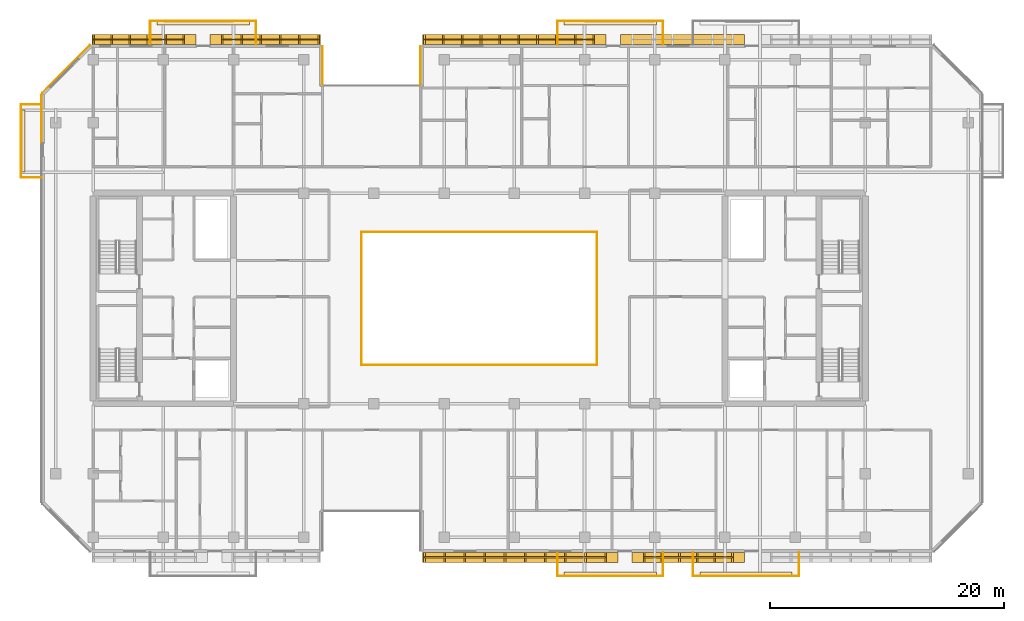
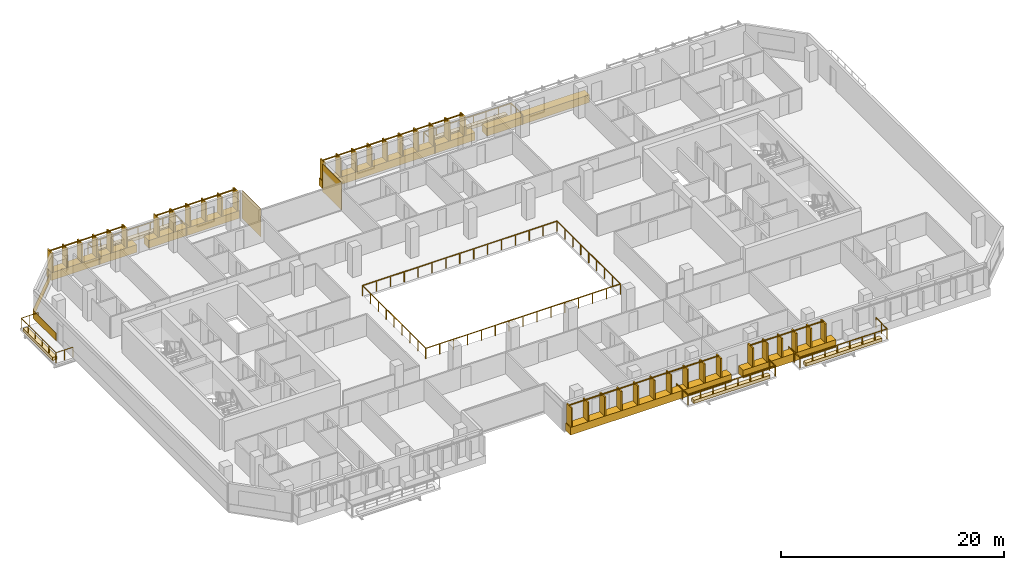
# One storey, part 18 of 21: 15 coverings, 12 railings.
"""IFC4 building model written with IfcOpenShell, lengths in metres."""

from ifc_helpers import new_model, si_unit, direction, frame, origin, origin_2d, place, context, subcontext, project, spatial, polyline, rectangle, outline, extrude, material, layer, layer_set, type_object, element, save


model = new_model("IFC4")

# Units and contexts
model_context = context("Model", 3, precision=1e-05, world=origin(), true_north=direction((0.0, 1.0)))
body_context = subcontext(model_context, "Body", "Model", "MODEL_VIEW")
ifc_project = project(units=[si_unit("LENGTHUNIT", "METRE"), si_unit("AREAUNIT", "SQUARE_METRE"), si_unit("VOLUMEUNIT", "CUBIC_METRE"), si_unit("PLANEANGLEUNIT", "RADIAN"), si_unit("MASSUNIT", "GRAM", prefix="KILO")], contexts=[model_context])

# Site, building, storey
site_placement = place(None, origin())
site = spatial("IfcSite", under=ifc_project, at=site_placement, CompositionType="ELEMENT")
building_placement = place(site_placement, origin())
building = spatial("IfcBuilding", under=site, at=building_placement, Name="Tanjung Sevakor Pilgrim Tower", CompositionType="ELEMENT")
storey_placement = place(building_placement, frame((0.0, 0.0, 145.199951171875)))
storey = spatial("IfcBuildingStorey", under=building, at=storey_placement, Name="L40", CompositionType="ELEMENT", Elevation=145.199951171875)

# Coverings
ifc_material_1 = material(Name="Reconstructed Limestone Cladding", Category="masonry")
ifc_layer_1 = layer(ifc_material_1, 0.044921875)
ifc_layer_set_1 = layer_set([ifc_layer_1], Name="COV-CLAD-LIMESTONE")
covering_type_1 = type_object("IfcCoveringType", Name="COV-CLAD-LIMESTONE", PredefinedType="CLADDING", material=ifc_layer_set_1)
covering_1_placement = place(storey_placement, frame((60.50244140625, 11.469970703125, 0.009765625), z_axis=(0.0, 0.0, 1.0), x_axis=(1.0, 0.0, 0.0)))
element("IfcCovering", 1, at=covering_1_placement, inside=storey, type_object=covering_type_1, Name="L40 Warm Limestone Sill Spandrel EW-L40-MAIN-5-1", PredefinedType="CLADDING", context=body_context, shape_type="SweptSolid", body=[
    extrude(rectangle(XDim=16.675048828125, YDim=0.860107421875, at=origin_2d()), origin(), (0.0, 0.0, 1.0), 0.840087890625),
])
covering_2_placement = place(storey_placement, frame((74.875, 11.469970703125, 0.009765625), z_axis=(0.0, 0.0, 1.0), x_axis=(1.0, 0.0, 0.0)))
element("IfcCovering", 2, at=covering_2_placement, inside=storey, type_object=covering_type_1, Name="L40 Warm Limestone Sill Spandrel EW-L40-MAIN-5-2", PredefinedType="CLADDING", context=body_context, shape_type="SweptSolid", body=[
    extrude(rectangle(XDim=9.6298828125, YDim=0.860107421875, at=origin_2d()), origin(), (0.0, 0.0, 1.0), 0.840087890625),
])
covering_3_placement = place(storey_placement, frame((74.375, 55.72998046875, 0.009765625), z_axis=(0.0, 0.0, 1.0), x_axis=(-1.0, 0.0, 0.0)))
element("IfcCovering", 3, at=covering_3_placement, inside=storey, type_object=covering_type_1, Name="L40 Warm Limestone Sill Spandrel EW-L40-MAIN-9-2", PredefinedType="CLADDING", context=body_context, shape_type="SweptSolid", body=[
    extrude(rectangle(XDim=10.6298828125, YDim=0.860107421875, at=origin_2d()), origin(), (0.0, 0.0, 1.0), 0.840087890625),
])
covering_4_placement = place(storey_placement, frame((60.00244140625, 55.72998046875, 0.009765625), z_axis=(0.0, 0.0, 1.0), x_axis=(-1.0, 0.0, 0.0)))
element("IfcCovering", 4, at=covering_4_placement, inside=storey, type_object=covering_type_1, Name="L40 Warm Limestone Sill Spandrel EW-L40-MAIN-9-3", PredefinedType="CLADDING", context=body_context, shape_type="SweptSolid", body=[
    extrude(rectangle(XDim=15.675048828125, YDim=0.860107421875, at=origin_2d()), origin(), (0.0, 0.0, 1.0), 0.840087890625),
])
for number, where, z_axis, x_axis, name in (
    (5, (51.9775390625, 53.47509765625, 0.02001953125), (0.0, 0.0, 1.0), (0.0, -1.0, 0.0), "L40 Warm Limestone Wall Cladding EW-L40-MAIN-10"),
    (6, (43.62255859375, 53.47509765625, 0.02001953125), (0.0, 0.0, 1.0), (0.0, 1.0, 0.0), "L40 Warm Limestone Wall Cladding EW-L40-MAIN-12"),
):
    element("IfcCovering", number, at=place(storey_placement, frame(where, z_axis=z_axis, x_axis=x_axis)), inside=storey, type_object=covering_type_1, Name=name, PredefinedType="CLADDING", context=body_context, shape_type="SweptSolid", body=[
        extrude(rectangle(XDim=3.360107421875, YDim=0.044921875, at=origin_2d()), origin(), (0.0, 0.0, 1.0), 3.0400390625),
    ])
covering_5_placement = place(storey_placement, frame((38.722412109375, 55.72998046875, 0.009765625), z_axis=(0.0, 0.0, 1.0), x_axis=(-1.0, 0.0, 0.0)))
element("IfcCovering", 7, at=covering_5_placement, inside=storey, type_object=covering_type_1, Name="L40 Warm Limestone Sill Spandrel EW-L40-MAIN-13-1", PredefinedType="CLADDING", context=body_context, shape_type="SweptSolid", body=[
    extrude(rectangle(XDim=9.425048828125, YDim=0.860107421875, at=origin_2d()), origin(), (0.0, 0.0, 1.0), 0.840087890625),
])
covering_6_placement = place(storey_placement, frame((28.3408203125, 55.72998046875, 0.009765625), z_axis=(0.0, 0.0, 1.0), x_axis=(-1.0, 0.0, 0.0)))
element("IfcCovering", 8, at=covering_6_placement, inside=storey, type_object=covering_type_1, Name="L40 Warm Limestone Sill Spandrel EW-L40-MAIN-13-2", PredefinedType="CLADDING", context=body_context, shape_type="SweptSolid", body=[
    extrude(rectangle(XDim=8.898193359375, YDim=0.860107421875, at=origin_2d()), origin(), (0.0, 0.0, 1.0), 0.840087890625),
])
covering_7_placement = place(storey_placement, frame((21.68408203125, 53.2158203125, 0.009765625), z_axis=(0.0, 0.0, 1.0), x_axis=(-0.707106781187, -0.707106781187, 0.0)))
element("IfcCovering", 9, at=covering_7_placement, inside=storey, type_object=covering_type_1, Name="L40 Warm Limestone Sill Spandrel EW-CHM-L40-MAIN-13-1", PredefinedType="CLADDING", context=body_context, shape_type="SweptSolid", body=[
    extrude(rectangle(XDim=5.756103515625, YDim=0.044921875, at=origin_2d()), origin(), (0.0, 0.0, 1.0), 0.840087890625),
])
covering_8_placement = place(storey_placement, frame((19.577392578125, 48.958984375, 0.009765625), z_axis=(0.0, 0.0, 1.0), x_axis=(0.0, -1.0, 0.0)))
element("IfcCovering", 10, at=covering_8_placement, inside=storey, type_object=covering_type_1, Name="L40 Warm Limestone Sill Spandrel EW-L40-MAIN-15-1", PredefinedType="CLADDING", context=body_context, shape_type="SweptSolid", body=[
    extrude(rectangle(XDim=4.09814453125, YDim=0.044921875, at=origin_2d()), origin(), (0.0, 0.0, 1.0), 0.840087890625),
])
ifc_material_2 = material(Name="Vegetated Modular Planter Assembly", Category="organic")
ifc_layer_2 = layer(ifc_material_2, 0.35009765625)
ifc_layer_set_2 = layer_set([ifc_layer_2], Name="COV-GRN-TROUGH")
covering_type_2 = type_object("IfcCoveringType", Name="COV-GRN-TROUGH", PredefinedType="CLADDING", material=ifc_layer_set_2)
covering_9_placement = place(storey_placement, origin())
element("IfcCovering", 11, at=covering_9_placement, inside=storey, type_object=covering_type_2, Name="L40 Planted Landscape Hedge Trough BGRN-L40-MAIN-N1", PredefinedType="CLADDING", context=body_context, shape_type="SweptSolid", body=[
    extrude(outline(polyline([(29.449951171875, 56.9599609375), (37.35009765625, 56.9599609375), (37.35009765625, 57.39990234375), (29.449951171875, 57.39990234375), (29.449951171875, 56.9599609375)])), origin(), (0.0, 0.0, 1.0), 0.35009765625),
])
covering_10_placement = place(storey_placement, origin())
element("IfcCovering", 12, at=covering_10_placement, inside=storey, type_object=covering_type_2, Name="L40 Planted Landscape Hedge Trough BGRN-L40-MAIN-S2", PredefinedType="CLADDING", context=body_context, shape_type="SweptSolid", body=[
    extrude(outline(polyline([(64.25, 9.800048828125), (72.14990234375, 9.800048828125), (72.14990234375, 10.239990234375), (64.25, 10.239990234375), (64.25, 9.800048828125)])), origin(), (0.0, 0.0, 1.0), 0.35009765625),
])
covering_11_placement = place(storey_placement, origin())
element("IfcCovering", 13, at=covering_11_placement, inside=storey, type_object=covering_type_2, Name="L40 Planted Landscape Hedge Trough BGRN-L40-MAIN-N2", PredefinedType="CLADDING", context=body_context, shape_type="SweptSolid", body=[
    extrude(outline(polyline([(64.25, 56.9599609375), (72.14990234375, 56.9599609375), (72.14990234375, 57.39990234375), (64.25, 57.39990234375), (64.25, 56.9599609375)])), origin(), (0.0, 0.0, 1.0), 0.35009765625),
])
covering_12_placement = place(storey_placement, origin())
element("IfcCovering", 14, at=covering_12_placement, inside=storey, type_object=covering_type_2, Name="L40 Planted Landscape Hedge Trough BGRN-L40-MAIN-S3", PredefinedType="CLADDING", context=body_context, shape_type="SweptSolid", body=[
    extrude(outline(polyline([(75.85009765625, 9.800048828125), (83.75, 9.800048828125), (83.75, 10.239990234375), (75.85009765625, 10.239990234375), (75.85009765625, 9.800048828125)])), origin(), (0.0, 0.0, 1.0), 0.35009765625),
])
covering_13_placement = place(storey_placement, origin())
element("IfcCovering", 15, at=covering_13_placement, inside=storey, type_object=covering_type_2, Name="L40 Planted Landscape Hedge Trough BGRN-L40-MAIN-W1", PredefinedType="CLADDING", context=body_context, shape_type="SweptSolid", body=[
    extrude(outline(polyline([(18.18994140625, 44.39990234375), (18.18994140625, 49.699951171875), (17.75, 49.699951171875), (17.75, 44.39990234375), (18.18994140625, 44.39990234375)])), origin(), (0.0, 0.0, 1.0), 0.35009765625),
])

# Railings
ifc_material_3 = material(Name="Laminated Glass and Aluminium", Category="aluminium")
railing_type_1 = type_object("IfcRailingType", Name="RL-BAL-BALUST", PredefinedType="BALUSTRADE", material=ifc_material_3)
railing_1_placement = place(storey_placement, frame((46.919921875, 27.919921875, 0.0)))
element("IfcRailing", 16, at=railing_1_placement, inside=storey, type_object=railing_type_1, Name="L40 Void Opening Balustrade 1A", PredefinedType="BALUSTRADE", context=body_context, shape_type="SweptSolid", body=[
    extrude(rectangle(XDim=0.0479, YDim=0.0479), frame((0.0, 0.0, 1.1259765625), z_axis=(1.0, 0.0, 0.0), x_axis=(0.0, 1.0, 0.0)), (0.0, 0.0, 1.0), 20.16015625),
    extrude(rectangle(XDim=0.0479, YDim=0.0479), frame((20.16015625, 0.0, 1.1259765625), z_axis=(0.0, 1.0, 0.0), x_axis=(-1.0, 0.0, 0.0)), (0.0, 0.0, 1.0), 11.360107421875),
    extrude(rectangle(XDim=0.042, YDim=0.042), origin(), (0.0, 0.0, 1.0), 1.101806640625),
    extrude(rectangle(XDim=0.042, YDim=0.042), frame((1.43994140625, 0.0, 0.0)), (0.0, 0.0, 1.0), 1.101806640625),
    extrude(rectangle(XDim=0.042, YDim=0.042), frame((2.880126953125, 0.0, 0.0)), (0.0, 0.0, 1.0), 1.101806640625),
    extrude(rectangle(XDim=0.042, YDim=0.042), frame((4.320068359375, 0.0, 0.0)), (0.0, 0.0, 1.0), 1.101806640625),
    extrude(rectangle(XDim=0.042, YDim=0.042), frame((5.760009765625, 0.0, 0.0)), (0.0, 0.0, 1.0), 1.101806640625),
    extrude(rectangle(XDim=0.042, YDim=0.042), frame((7.199951171875, 0.0, 0.0)), (0.0, 0.0, 1.0), 1.101806640625),
    extrude(rectangle(XDim=0.042, YDim=0.042), frame((8.64013671875, 0.0, 0.0)), (0.0, 0.0, 1.0), 1.101806640625),
    extrude(rectangle(XDim=0.042, YDim=0.042), frame((10.080078125, 0.0, 0.0)), (0.0, 0.0, 1.0), 1.101806640625),
    extrude(rectangle(XDim=0.042, YDim=0.042), frame((11.52001953125, 0.0, 0.0)), (0.0, 0.0, 1.0), 1.101806640625),
    extrude(rectangle(XDim=0.042, YDim=0.042), frame((12.960205078125, 0.0, 0.0)), (0.0, 0.0, 1.0), 1.101806640625),
    extrude(rectangle(XDim=0.042, YDim=0.042), frame((14.400146484375, 0.0, 0.0)), (0.0, 0.0, 1.0), 1.101806640625),
    extrude(rectangle(XDim=0.042, YDim=0.042), frame((15.840087890625, 0.0, 0.0)), (0.0, 0.0, 1.0), 1.101806640625),
    extrude(rectangle(XDim=0.042, YDim=0.042), frame((17.280029296875, 0.0, 0.0)), (0.0, 0.0, 1.0), 1.101806640625),
    extrude(rectangle(XDim=0.042, YDim=0.042), frame((18.72021484375, 0.0, 0.0)), (0.0, 0.0, 1.0), 1.101806640625),
    extrude(rectangle(XDim=0.042, YDim=0.042), frame((20.16015625, 0.0, 0.0)), (0.0, 0.0, 1.0), 1.101806640625),
    extrude(rectangle(XDim=0.042, YDim=0.042), frame((20.16015625, 1.419921875, 0.0)), (0.0, 0.0, 1.0), 1.101806640625),
    extrude(rectangle(XDim=0.042, YDim=0.042), frame((20.16015625, 2.840087890625, 0.0)), (0.0, 0.0, 1.0), 1.101806640625),
    extrude(rectangle(XDim=0.042, YDim=0.042), frame((20.16015625, 4.260009765625, 0.0)), (0.0, 0.0, 1.0), 1.101806640625),
    extrude(rectangle(XDim=0.042, YDim=0.042), frame((20.16015625, 5.68017578125, 0.0)), (0.0, 0.0, 1.0), 1.101806640625),
    extrude(rectangle(XDim=0.042, YDim=0.042), frame((20.16015625, 7.10009765625, 0.0)), (0.0, 0.0, 1.0), 1.101806640625),
    extrude(rectangle(XDim=0.042, YDim=0.042), frame((20.16015625, 8.52001953125, 0.0)), (0.0, 0.0, 1.0), 1.101806640625),
    extrude(rectangle(XDim=0.042, YDim=0.042), frame((20.16015625, 9.940185546875, 0.0)), (0.0, 0.0, 1.0), 1.101806640625),
    extrude(rectangle(XDim=0.042, YDim=0.042), frame((20.16015625, 11.360107421875, 0.0)), (0.0, 0.0, 1.0), 1.101806640625),
])
railing_2_placement = place(storey_placement, frame((67.080078125, 39.280029296875, 0.0)))
element("IfcRailing", 17, at=railing_2_placement, inside=storey, type_object=railing_type_1, Name="L40 Void Opening Balustrade 1B", PredefinedType="BALUSTRADE", context=body_context, shape_type="SweptSolid", body=[
    extrude(rectangle(XDim=0.0479, YDim=0.0479), frame((0.0, 0.0, 1.1259765625), z_axis=(-1.0, 0.0, 0.0), x_axis=(0.0, -1.0, 0.0)), (0.0, 0.0, 1.0), 20.16015625),
    extrude(rectangle(XDim=0.0479, YDim=0.0479), frame((-20.16015625, 0.0, 1.1259765625), z_axis=(0.0, -1.0, 0.0), x_axis=(1.0, 0.0, 0.0)), (0.0, 0.0, 1.0), 11.360107421875),
    extrude(rectangle(XDim=0.042, YDim=0.042), origin(), (0.0, 0.0, 1.0), 1.101806640625),
    extrude(rectangle(XDim=0.042, YDim=0.042), frame((-1.43994140625, 0.0, 0.0)), (0.0, 0.0, 1.0), 1.101806640625),
    extrude(rectangle(XDim=0.042, YDim=0.042), frame((-2.880126953125, 0.0, 0.0)), (0.0, 0.0, 1.0), 1.101806640625),
    extrude(rectangle(XDim=0.042, YDim=0.042), frame((-4.320068359375, 0.0, 0.0)), (0.0, 0.0, 1.0), 1.101806640625),
    extrude(rectangle(XDim=0.042, YDim=0.042), frame((-5.760009765625, 0.0, 0.0)), (0.0, 0.0, 1.0), 1.101806640625),
    extrude(rectangle(XDim=0.042, YDim=0.042), frame((-7.199951171875, 0.0, 0.0)), (0.0, 0.0, 1.0), 1.101806640625),
    extrude(rectangle(XDim=0.042, YDim=0.042), frame((-8.64013671875, 0.0, 0.0)), (0.0, 0.0, 1.0), 1.101806640625),
    extrude(rectangle(XDim=0.042, YDim=0.042), frame((-10.080078125, 0.0, 0.0)), (0.0, 0.0, 1.0), 1.101806640625),
    extrude(rectangle(XDim=0.042, YDim=0.042), frame((-11.52001953125, 0.0, 0.0)), (0.0, 0.0, 1.0), 1.101806640625),
    extrude(rectangle(XDim=0.042, YDim=0.042), frame((-12.960205078125, 0.0, 0.0)), (0.0, 0.0, 1.0), 1.101806640625),
    extrude(rectangle(XDim=0.042, YDim=0.042), frame((-14.400146484375, 0.0, 0.0)), (0.0, 0.0, 1.0), 1.101806640625),
    extrude(rectangle(XDim=0.042, YDim=0.042), frame((-15.840087890625, 0.0, 0.0)), (0.0, 0.0, 1.0), 1.101806640625),
    extrude(rectangle(XDim=0.042, YDim=0.042), frame((-17.280029296875, 0.0, 0.0)), (0.0, 0.0, 1.0), 1.101806640625),
    extrude(rectangle(XDim=0.042, YDim=0.042), frame((-18.72021484375, 0.0, 0.0)), (0.0, 0.0, 1.0), 1.101806640625),
    extrude(rectangle(XDim=0.042, YDim=0.042), frame((-20.16015625, 0.0, 0.0)), (0.0, 0.0, 1.0), 1.101806640625),
    extrude(rectangle(XDim=0.042, YDim=0.042), frame((-20.16015625, -1.419921875, 0.0)), (0.0, 0.0, 1.0), 1.101806640625),
    extrude(rectangle(XDim=0.042, YDim=0.042), frame((-20.16015625, -2.840087890625, 0.0)), (0.0, 0.0, 1.0), 1.101806640625),
    extrude(rectangle(XDim=0.042, YDim=0.042), frame((-20.16015625, -4.260009765625, 0.0)), (0.0, 0.0, 1.0), 1.101806640625),
    extrude(rectangle(XDim=0.042, YDim=0.042), frame((-20.16015625, -5.68017578125, 0.0)), (0.0, 0.0, 1.0), 1.101806640625),
    extrude(rectangle(XDim=0.042, YDim=0.042), frame((-20.16015625, -7.10009765625, 0.0)), (0.0, 0.0, 1.0), 1.101806640625),
    extrude(rectangle(XDim=0.042, YDim=0.042), frame((-20.16015625, -8.52001953125, 0.0)), (0.0, 0.0, 1.0), 1.101806640625),
    extrude(rectangle(XDim=0.042, YDim=0.042), frame((-20.16015625, -9.940185546875, 0.0)), (0.0, 0.0, 1.0), 1.101806640625),
    extrude(rectangle(XDim=0.042, YDim=0.042), frame((-20.16015625, -11.360107421875, 0.0)), (0.0, 0.0, 1.0), 1.101806640625),
])
railing_3_placement = place(storey_placement, frame((28.8798828125, 55.300048828125, 0.0)))
element("IfcRailing", 18, at=railing_3_placement, inside=storey, type_object=railing_type_1, Name="L40 Loggia Balustrade MAIN-N1", PredefinedType="BALUSTRADE", context=body_context, shape_type="SweptSolid", body=[
    extrude(rectangle(XDim=0.0479, YDim=0.0479), frame((0.0, 0.0, 1.1259765625), z_axis=(0.0, 1.0, 0.0), x_axis=(-1.0, 0.0, 0.0)), (0.0, 0.0, 1.0), 2.02001953125),
    extrude(rectangle(XDim=0.0479, YDim=0.0479), frame((0.0, 2.02001953125, 1.1259765625), z_axis=(1.0, 0.0, 0.0), x_axis=(0.0, 1.0, 0.0)), (0.0, 0.0, 1.0), 9.0400390625),
    extrude(rectangle(XDim=0.0479, YDim=0.0479), frame((9.0400390625, 2.02001953125, 1.1259765625), z_axis=(0.0, -1.0, 0.0), x_axis=(1.0, 0.0, 0.0)), (0.0, 0.0, 1.0), 2.02001953125),
    extrude(rectangle(XDim=0.042, YDim=0.042), origin(), (0.0, 0.0, 1.0), 1.101806640625),
    extrude(rectangle(XDim=0.042, YDim=0.042), frame((0.0, 1.010009765625, 0.0)), (0.0, 0.0, 1.0), 1.101806640625),
    extrude(rectangle(XDim=0.042, YDim=0.042), frame((0.0, 2.02001953125, 0.0)), (0.0, 0.0, 1.0), 1.101806640625),
    extrude(rectangle(XDim=0.042, YDim=0.042), frame((1.29150390625, 2.02001953125, 0.0)), (0.0, 0.0, 1.0), 1.101806640625),
    extrude(rectangle(XDim=0.042, YDim=0.042), frame((2.582763671875, 2.02001953125, 0.0)), (0.0, 0.0, 1.0), 1.101806640625),
    extrude(rectangle(XDim=0.042, YDim=0.042), frame((3.874267578125, 2.02001953125, 0.0)), (0.0, 0.0, 1.0), 1.101806640625),
    extrude(rectangle(XDim=0.042, YDim=0.042), frame((5.165771484375, 2.02001953125, 0.0)), (0.0, 0.0, 1.0), 1.101806640625),
    extrude(rectangle(XDim=0.042, YDim=0.042), frame((6.457275390625, 2.02001953125, 0.0)), (0.0, 0.0, 1.0), 1.101806640625),
    extrude(rectangle(XDim=0.042, YDim=0.042), frame((7.74853515625, 2.02001953125, 0.0)), (0.0, 0.0, 1.0), 1.101806640625),
    extrude(rectangle(XDim=0.042, YDim=0.042), frame((9.0400390625, 2.02001953125, 0.0)), (0.0, 0.0, 1.0), 1.101806640625),
    extrude(rectangle(XDim=0.042, YDim=0.042), frame((9.0400390625, 1.010009765625, 0.0)), (0.0, 0.0, 1.0), 1.101806640625),
    extrude(rectangle(XDim=0.042, YDim=0.042), frame((9.0400390625, 0.0, 0.0)), (0.0, 0.0, 1.0), 1.101806640625),
])
railing_4_placement = place(storey_placement, frame((63.679931640625, 11.89990234375, 0.0)))
element("IfcRailing", 19, at=railing_4_placement, inside=storey, type_object=railing_type_1, Name="L40 Loggia Balustrade MAIN-S2", PredefinedType="BALUSTRADE", context=body_context, shape_type="SweptSolid", body=[
    extrude(rectangle(XDim=0.0479, YDim=0.0479), frame((0.0, 0.0, 1.1259765625), z_axis=(0.0, -1.0, 0.0), x_axis=(1.0, 0.0, 0.0)), (0.0, 0.0, 1.0), 2.02001953125),
    extrude(rectangle(XDim=0.0479, YDim=0.0479), frame((0.0, -2.02001953125, 1.1259765625), z_axis=(1.0, 0.0, 0.0), x_axis=(0.0, 1.0, 0.0)), (0.0, 0.0, 1.0), 9.0400390625),
    extrude(rectangle(XDim=0.0479, YDim=0.0479), frame((9.0400390625, -2.02001953125, 1.1259765625), z_axis=(0.0, 1.0, 0.0), x_axis=(-1.0, 0.0, 0.0)), (0.0, 0.0, 1.0), 2.02001953125),
    extrude(rectangle(XDim=0.042, YDim=0.042), origin(), (0.0, 0.0, 1.0), 1.101806640625),
    extrude(rectangle(XDim=0.042, YDim=0.042), frame((0.0, -1.010009765625, 0.0)), (0.0, 0.0, 1.0), 1.101806640625),
    extrude(rectangle(XDim=0.042, YDim=0.042), frame((0.0, -2.02001953125, 0.0)), (0.0, 0.0, 1.0), 1.101806640625),
    extrude(rectangle(XDim=0.042, YDim=0.042), frame((1.29150390625, -2.02001953125, 0.0)), (0.0, 0.0, 1.0), 1.101806640625),
    extrude(rectangle(XDim=0.042, YDim=0.042), frame((2.582763671875, -2.02001953125, 0.0)), (0.0, 0.0, 1.0), 1.101806640625),
    extrude(rectangle(XDim=0.042, YDim=0.042), frame((3.874267578125, -2.02001953125, 0.0)), (0.0, 0.0, 1.0), 1.101806640625),
    extrude(rectangle(XDim=0.042, YDim=0.042), frame((5.165771484375, -2.02001953125, 0.0)), (0.0, 0.0, 1.0), 1.101806640625),
    extrude(rectangle(XDim=0.042, YDim=0.042), frame((6.457275390625, -2.02001953125, 0.0)), (0.0, 0.0, 1.0), 1.101806640625),
    extrude(rectangle(XDim=0.042, YDim=0.042), frame((7.74853515625, -2.02001953125, 0.0)), (0.0, 0.0, 1.0), 1.101806640625),
    extrude(rectangle(XDim=0.042, YDim=0.042), frame((9.0400390625, -2.02001953125, 0.0)), (0.0, 0.0, 1.0), 1.101806640625),
    extrude(rectangle(XDim=0.042, YDim=0.042), frame((9.0400390625, -1.010009765625, 0.0)), (0.0, 0.0, 1.0), 1.101806640625),
    extrude(rectangle(XDim=0.042, YDim=0.042), frame((9.0400390625, 0.0, 0.0)), (0.0, 0.0, 1.0), 1.101806640625),
])
railing_5_placement = place(storey_placement, frame((63.679931640625, 55.300048828125, 0.0)))
element("IfcRailing", 20, at=railing_5_placement, inside=storey, type_object=railing_type_1, Name="L40 Loggia Balustrade MAIN-N2", PredefinedType="BALUSTRADE", context=body_context, shape_type="SweptSolid", body=[
    extrude(rectangle(XDim=0.0479, YDim=0.0479), frame((0.0, 0.0, 1.1259765625), z_axis=(0.0, 1.0, 0.0), x_axis=(-1.0, 0.0, 0.0)), (0.0, 0.0, 1.0), 2.02001953125),
    extrude(rectangle(XDim=0.0479, YDim=0.0479), frame((0.0, 2.02001953125, 1.1259765625), z_axis=(1.0, 0.0, 0.0), x_axis=(0.0, 1.0, 0.0)), (0.0, 0.0, 1.0), 9.0400390625),
    extrude(rectangle(XDim=0.0479, YDim=0.0479), frame((9.0400390625, 2.02001953125, 1.1259765625), z_axis=(0.0, -1.0, 0.0), x_axis=(1.0, 0.0, 0.0)), (0.0, 0.0, 1.0), 2.02001953125),
    extrude(rectangle(XDim=0.042, YDim=0.042), origin(), (0.0, 0.0, 1.0), 1.101806640625),
    extrude(rectangle(XDim=0.042, YDim=0.042), frame((0.0, 1.010009765625, 0.0)), (0.0, 0.0, 1.0), 1.101806640625),
    extrude(rectangle(XDim=0.042, YDim=0.042), frame((0.0, 2.02001953125, 0.0)), (0.0, 0.0, 1.0), 1.101806640625),
    extrude(rectangle(XDim=0.042, YDim=0.042), frame((1.29150390625, 2.02001953125, 0.0)), (0.0, 0.0, 1.0), 1.101806640625),
    extrude(rectangle(XDim=0.042, YDim=0.042), frame((2.582763671875, 2.02001953125, 0.0)), (0.0, 0.0, 1.0), 1.101806640625),
    extrude(rectangle(XDim=0.042, YDim=0.042), frame((3.874267578125, 2.02001953125, 0.0)), (0.0, 0.0, 1.0), 1.101806640625),
    extrude(rectangle(XDim=0.042, YDim=0.042), frame((5.165771484375, 2.02001953125, 0.0)), (0.0, 0.0, 1.0), 1.101806640625),
    extrude(rectangle(XDim=0.042, YDim=0.042), frame((6.457275390625, 2.02001953125, 0.0)), (0.0, 0.0, 1.0), 1.101806640625),
    extrude(rectangle(XDim=0.042, YDim=0.042), frame((7.74853515625, 2.02001953125, 0.0)), (0.0, 0.0, 1.0), 1.101806640625),
    extrude(rectangle(XDim=0.042, YDim=0.042), frame((9.0400390625, 2.02001953125, 0.0)), (0.0, 0.0, 1.0), 1.101806640625),
    extrude(rectangle(XDim=0.042, YDim=0.042), frame((9.0400390625, 1.010009765625, 0.0)), (0.0, 0.0, 1.0), 1.101806640625),
    extrude(rectangle(XDim=0.042, YDim=0.042), frame((9.0400390625, 0.0, 0.0)), (0.0, 0.0, 1.0), 1.101806640625),
])
railing_6_placement = place(storey_placement, frame((75.280029296875, 11.89990234375, 0.0)))
element("IfcRailing", 21, at=railing_6_placement, inside=storey, type_object=railing_type_1, Name="L40 Loggia Balustrade MAIN-S3", PredefinedType="BALUSTRADE", context=body_context, shape_type="SweptSolid", body=[
    extrude(rectangle(XDim=0.0479, YDim=0.0479), frame((0.0, 0.0, 1.1259765625), z_axis=(0.0, -1.0, 0.0), x_axis=(1.0, 0.0, 0.0)), (0.0, 0.0, 1.0), 2.02001953125),
    extrude(rectangle(XDim=0.0479, YDim=0.0479), frame((0.0, -2.02001953125, 1.1259765625), z_axis=(1.0, 0.0, 0.0), x_axis=(0.0, 1.0, 0.0)), (0.0, 0.0, 1.0), 9.0400390625),
    extrude(rectangle(XDim=0.0479, YDim=0.0479), frame((9.0400390625, -2.02001953125, 1.1259765625), z_axis=(0.0, 1.0, 0.0), x_axis=(-1.0, 0.0, 0.0)), (0.0, 0.0, 1.0), 2.02001953125),
    extrude(rectangle(XDim=0.042, YDim=0.042), origin(), (0.0, 0.0, 1.0), 1.101806640625),
    extrude(rectangle(XDim=0.042, YDim=0.042), frame((0.0, -1.010009765625, 0.0)), (0.0, 0.0, 1.0), 1.101806640625),
    extrude(rectangle(XDim=0.042, YDim=0.042), frame((0.0, -2.02001953125, 0.0)), (0.0, 0.0, 1.0), 1.101806640625),
    extrude(rectangle(XDim=0.042, YDim=0.042), frame((1.29150390625, -2.02001953125, 0.0)), (0.0, 0.0, 1.0), 1.101806640625),
    extrude(rectangle(XDim=0.042, YDim=0.042), frame((2.582763671875, -2.02001953125, 0.0)), (0.0, 0.0, 1.0), 1.101806640625),
    extrude(rectangle(XDim=0.042, YDim=0.042), frame((3.874267578125, -2.02001953125, 0.0)), (0.0, 0.0, 1.0), 1.101806640625),
    extrude(rectangle(XDim=0.042, YDim=0.042), frame((5.165771484375, -2.02001953125, 0.0)), (0.0, 0.0, 1.0), 1.101806640625),
    extrude(rectangle(XDim=0.042, YDim=0.042), frame((6.457275390625, -2.02001953125, 0.0)), (0.0, 0.0, 1.0), 1.101806640625),
    extrude(rectangle(XDim=0.042, YDim=0.042), frame((7.74853515625, -2.02001953125, 0.0)), (0.0, 0.0, 1.0), 1.101806640625),
    extrude(rectangle(XDim=0.042, YDim=0.042), frame((9.0400390625, -2.02001953125, 0.0)), (0.0, 0.0, 1.0), 1.101806640625),
    extrude(rectangle(XDim=0.042, YDim=0.042), frame((9.0400390625, -1.010009765625, 0.0)), (0.0, 0.0, 1.0), 1.101806640625),
    extrude(rectangle(XDim=0.042, YDim=0.042), frame((9.0400390625, 0.0, 0.0)), (0.0, 0.0, 1.0), 1.101806640625),
])
railing_7_placement = place(storey_placement, frame((19.60009765625, 43.929931640625, 0.0)))
element("IfcRailing", 22, at=railing_7_placement, inside=storey, type_object=railing_type_1, Name="L40 Loggia Balustrade MAIN-W1", PredefinedType="BALUSTRADE", context=body_context, shape_type="SweptSolid", body=[
    extrude(rectangle(XDim=0.0479, YDim=0.0479), frame((0.0, 0.0, 1.1259765625), z_axis=(-1.0, 0.0, 0.0), x_axis=(0.0, -1.0, 0.0)), (0.0, 0.0, 1.0), 1.77001953125),
    extrude(rectangle(XDim=0.0479, YDim=0.0479), frame((-1.77001953125, 0.0, 1.1259765625), z_axis=(0.0, 1.0, 0.0), x_axis=(-1.0, 0.0, 0.0)), (0.0, 0.0, 1.0), 6.239990234375),
    extrude(rectangle(XDim=0.0479, YDim=0.0479), frame((-1.77001953125, 6.239990234375, 1.1259765625), z_axis=(1.0, 0.0, 0.0), x_axis=(0.0, 1.0, 0.0)), (0.0, 0.0, 1.0), 1.77001953125),
    extrude(rectangle(XDim=0.042, YDim=0.042), origin(), (0.0, 0.0, 1.0), 1.101806640625),
    extrude(rectangle(XDim=0.042, YDim=0.042), frame((-0.885009765625, 0.0, 0.0)), (0.0, 0.0, 1.0), 1.101806640625),
    extrude(rectangle(XDim=0.042, YDim=0.042), frame((-1.77001953125, 0.0, 0.0)), (0.0, 0.0, 1.0), 1.101806640625),
    extrude(rectangle(XDim=0.042, YDim=0.042), frame((-1.77001953125, 1.248046875, 0.0)), (0.0, 0.0, 1.0), 1.101806640625),
    extrude(rectangle(XDim=0.042, YDim=0.042), frame((-1.77001953125, 2.49609375, 0.0)), (0.0, 0.0, 1.0), 1.101806640625),
    extrude(rectangle(XDim=0.042, YDim=0.042), frame((-1.77001953125, 3.743896484375, 0.0)), (0.0, 0.0, 1.0), 1.101806640625),
    extrude(rectangle(XDim=0.042, YDim=0.042), frame((-1.77001953125, 4.991943359375, 0.0)), (0.0, 0.0, 1.0), 1.101806640625),
    extrude(rectangle(XDim=0.042, YDim=0.042), frame((-1.77001953125, 6.239990234375, 0.0)), (0.0, 0.0, 1.0), 1.101806640625),
    extrude(rectangle(XDim=0.042, YDim=0.042), frame((-0.885009765625, 6.239990234375, 0.0)), (0.0, 0.0, 1.0), 1.101806640625),
    extrude(rectangle(XDim=0.042, YDim=0.042), frame((0.0, 6.239990234375, 0.0)), (0.0, 0.0, 1.0), 1.101806640625),
])
ifc_material_4 = material(Name="Anodised Bronze Aluminium 6063-T6", Category="aluminium")
railing_type_2 = type_object("IfcRailingType", Name="RL-FIN-SCREEN", PredefinedType="BALUSTRADE", material=ifc_material_4)
railing_8_placement = place(storey_placement, frame((52.324951171875, 11.47509765625, 0.840087890625)))
element("IfcRailing", 23, at=railing_8_placement, inside=storey, type_object=railing_type_2, Name="L40 Vertical Bronze-Gold Solar Fin Screen FNSCR-EW-L40-MAIN-5-1", PredefinedType="BALUSTRADE", context=body_context, shape_type="SweptSolid", body=[
    extrude(rectangle(XDim=0.105, YDim=0.105), frame((0.0, 0.0, 2.157470703125), z_axis=(1.0, 0.0, 0.0), x_axis=(0.0, 1.0, 0.0)), (0.0, 0.0, 1.0), 15.47509765625),
    extrude(rectangle(XDim=0.14, YDim=0.85), origin(), (0.0, 0.0, 1.0), 2.10498046875),
    extrude(rectangle(XDim=0.14, YDim=0.85), frame((1.719482421875, 0.0, 0.0)), (0.0, 0.0, 1.0), 2.10498046875),
    extrude(rectangle(XDim=0.14, YDim=0.85), frame((3.43896484375, 0.0, 0.0)), (0.0, 0.0, 1.0), 2.10498046875),
    extrude(rectangle(XDim=0.14, YDim=0.85), frame((5.158447265625, 0.0, 0.0)), (0.0, 0.0, 1.0), 2.10498046875),
    extrude(rectangle(XDim=0.14, YDim=0.85), frame((6.8779296875, 0.0, 0.0)), (0.0, 0.0, 1.0), 2.10498046875),
    extrude(rectangle(XDim=0.14, YDim=0.85), frame((8.59716796875, 0.0, 0.0)), (0.0, 0.0, 1.0), 2.10498046875),
    extrude(rectangle(XDim=0.14, YDim=0.85), frame((10.316650390625, 0.0, 0.0)), (0.0, 0.0, 1.0), 2.10498046875),
    extrude(rectangle(XDim=0.14, YDim=0.85), frame((12.0361328125, 0.0, 0.0)), (0.0, 0.0, 1.0), 2.10498046875),
    extrude(rectangle(XDim=0.14, YDim=0.85), frame((13.755615234375, 0.0, 0.0)), (0.0, 0.0, 1.0), 2.10498046875),
    extrude(rectangle(XDim=0.14, YDim=0.85), frame((15.47509765625, 0.0, 0.0)), (0.0, 0.0, 1.0), 2.10498046875),
])
railing_9_placement = place(storey_placement, frame((71.10009765625, 11.47509765625, 0.840087890625)))
element("IfcRailing", 24, at=railing_9_placement, inside=storey, type_object=railing_type_2, Name="L40 Vertical Bronze-Gold Solar Fin Screen FNSCR-EW-L40-MAIN-5-2", PredefinedType="BALUSTRADE", context=body_context, shape_type="SweptSolid", body=[
    extrude(rectangle(XDim=0.105, YDim=0.105), frame((0.0, 0.0, 2.157470703125), z_axis=(1.0, 0.0, 0.0), x_axis=(0.0, 1.0, 0.0)), (0.0, 0.0, 1.0), 7.5498046875),
    extrude(rectangle(XDim=0.14, YDim=0.85), origin(), (0.0, 0.0, 1.0), 2.10498046875),
    extrude(rectangle(XDim=0.14, YDim=0.85), frame((1.510009765625, 0.0, 0.0)), (0.0, 0.0, 1.0), 2.10498046875),
    extrude(rectangle(XDim=0.14, YDim=0.85), frame((3.02001953125, 0.0, 0.0)), (0.0, 0.0, 1.0), 2.10498046875),
    extrude(rectangle(XDim=0.14, YDim=0.85), frame((4.52978515625, 0.0, 0.0)), (0.0, 0.0, 1.0), 2.10498046875),
    extrude(rectangle(XDim=0.14, YDim=0.85), frame((6.039794921875, 0.0, 0.0)), (0.0, 0.0, 1.0), 2.10498046875),
    extrude(rectangle(XDim=0.14, YDim=0.85), frame((7.5498046875, 0.0, 0.0)), (0.0, 0.0, 1.0), 2.10498046875),
])
railing_10_placement = place(storey_placement, frame((66.800048828125, 55.72509765625, 0.840087890625)))
element("IfcRailing", 25, at=railing_10_placement, inside=storey, type_object=railing_type_2, Name="L40 Vertical Bronze-Gold Solar Fin Screen FNSCR-EW-L40-MAIN-9-3", PredefinedType="BALUSTRADE", context=body_context, shape_type="SweptSolid", body=[
    extrude(rectangle(XDim=0.105, YDim=0.105), frame((0.0, 0.0, 2.157470703125), z_axis=(-1.0, 0.0, 0.0), x_axis=(0.0, -1.0, 0.0)), (0.0, 0.0, 1.0), 14.47509765625),
    extrude(rectangle(XDim=0.14, YDim=0.85), origin(), (0.0, 0.0, 1.0), 2.10498046875),
    extrude(rectangle(XDim=0.14, YDim=0.85), frame((-1.6083984375, 0.0, 0.0)), (0.0, 0.0, 1.0), 2.10498046875),
    extrude(rectangle(XDim=0.14, YDim=0.85), frame((-3.216796875, 0.0, 0.0)), (0.0, 0.0, 1.0), 2.10498046875),
    extrude(rectangle(XDim=0.14, YDim=0.85), frame((-4.824951171875, 0.0, 0.0)), (0.0, 0.0, 1.0), 2.10498046875),
    extrude(rectangle(XDim=0.14, YDim=0.85), frame((-6.433349609375, 0.0, 0.0)), (0.0, 0.0, 1.0), 2.10498046875),
    extrude(rectangle(XDim=0.14, YDim=0.85), frame((-8.041748046875, 0.0, 0.0)), (0.0, 0.0, 1.0), 2.10498046875),
    extrude(rectangle(XDim=0.14, YDim=0.85), frame((-9.650146484375, 0.0, 0.0)), (0.0, 0.0, 1.0), 2.10498046875),
    extrude(rectangle(XDim=0.14, YDim=0.85), frame((-11.25830078125, 0.0, 0.0)), (0.0, 0.0, 1.0), 2.10498046875),
    extrude(rectangle(XDim=0.14, YDim=0.85), frame((-12.86669921875, 0.0, 0.0)), (0.0, 0.0, 1.0), 2.10498046875),
    extrude(rectangle(XDim=0.14, YDim=0.85), frame((-14.47509765625, 0.0, 0.0)), (0.0, 0.0, 1.0), 2.10498046875),
])
railing_11_placement = place(storey_placement, frame((43.27490234375, 55.72509765625, 0.840087890625)))
element("IfcRailing", 26, at=railing_11_placement, inside=storey, type_object=railing_type_2, Name="L40 Vertical Bronze-Gold Solar Fin Screen FNSCR-EW-L40-MAIN-13-1", PredefinedType="BALUSTRADE", context=body_context, shape_type="SweptSolid", body=[
    extrude(rectangle(XDim=0.105, YDim=0.105), frame((0.0, 0.0, 2.157470703125), z_axis=(-1.0, 0.0, 0.0), x_axis=(0.0, -1.0, 0.0)), (0.0, 0.0, 1.0), 8.224853515625),
    extrude(rectangle(XDim=0.14, YDim=0.85), origin(), (0.0, 0.0, 1.0), 2.10498046875),
    extrude(rectangle(XDim=0.14, YDim=0.85), frame((-1.64501953125, 0.0, 0.0)), (0.0, 0.0, 1.0), 2.10498046875),
    extrude(rectangle(XDim=0.14, YDim=0.85), frame((-3.2900390625, 0.0, 0.0)), (0.0, 0.0, 1.0), 2.10498046875),
    extrude(rectangle(XDim=0.14, YDim=0.85), frame((-4.934814453125, 0.0, 0.0)), (0.0, 0.0, 1.0), 2.10498046875),
    extrude(rectangle(XDim=0.14, YDim=0.85), frame((-6.579833984375, 0.0, 0.0)), (0.0, 0.0, 1.0), 2.10498046875),
    extrude(rectangle(XDim=0.14, YDim=0.85), frame((-8.224853515625, 0.0, 0.0)), (0.0, 0.0, 1.0), 2.10498046875),
])
railing_12_placement = place(storey_placement, frame((31.75, 55.72509765625, 0.840087890625)))
element("IfcRailing", 27, at=railing_12_placement, inside=storey, type_object=railing_type_2, Name="L40 Vertical Bronze-Gold Solar Fin Screen FNSCR-EW-L40-MAIN-13-2", PredefinedType="BALUSTRADE", context=body_context, shape_type="SweptSolid", body=[
    extrude(rectangle(XDim=0.105, YDim=0.105), frame((0.0, 0.0, 2.157470703125), z_axis=(-1.0, 0.0, 0.0), x_axis=(0.0, -1.0, 0.0)), (0.0, 0.0, 1.0), 7.6982421875),
    extrude(rectangle(XDim=0.14, YDim=0.85), origin(), (0.0, 0.0, 1.0), 2.10498046875),
    extrude(rectangle(XDim=0.14, YDim=0.85), frame((-1.53955078125, 0.0, 0.0)), (0.0, 0.0, 1.0), 2.10498046875),
    extrude(rectangle(XDim=0.14, YDim=0.85), frame((-3.079345703125, 0.0, 0.0)), (0.0, 0.0, 1.0), 2.10498046875),
    extrude(rectangle(XDim=0.14, YDim=0.85), frame((-4.618896484375, 0.0, 0.0)), (0.0, 0.0, 1.0), 2.10498046875),
    extrude(rectangle(XDim=0.14, YDim=0.85), frame((-6.15869140625, 0.0, 0.0)), (0.0, 0.0, 1.0), 2.10498046875),
    extrude(rectangle(XDim=0.14, YDim=0.85), frame((-7.6982421875, 0.0, 0.0)), (0.0, 0.0, 1.0), 2.10498046875),
])

save(model, "model.ifc")
